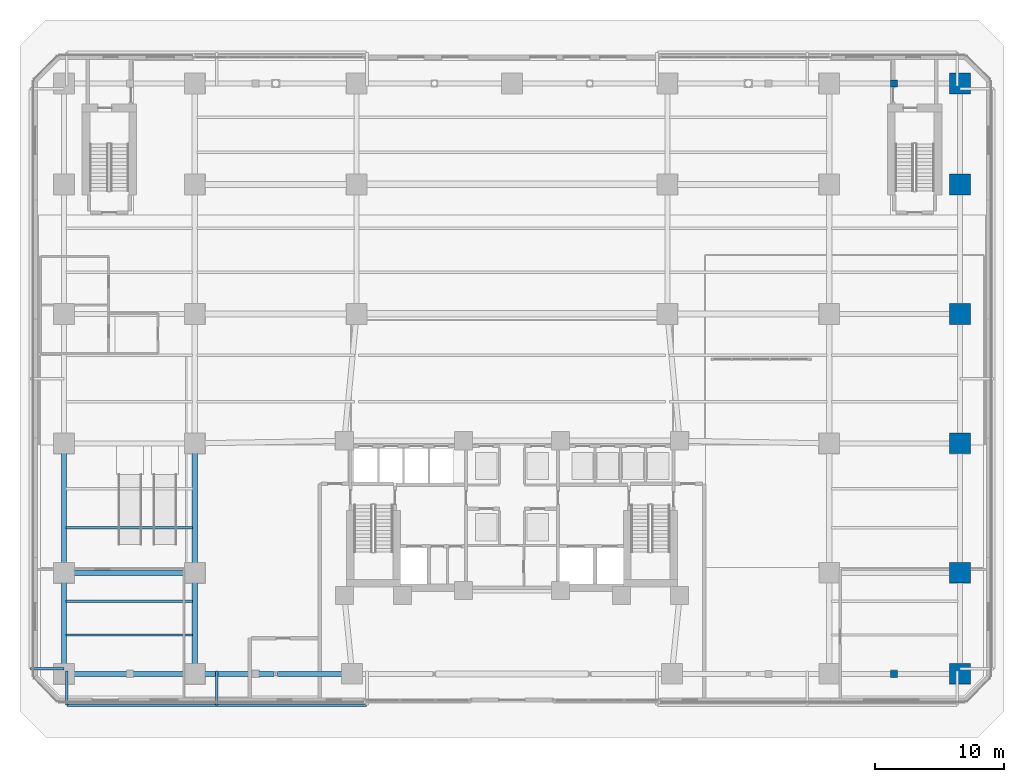
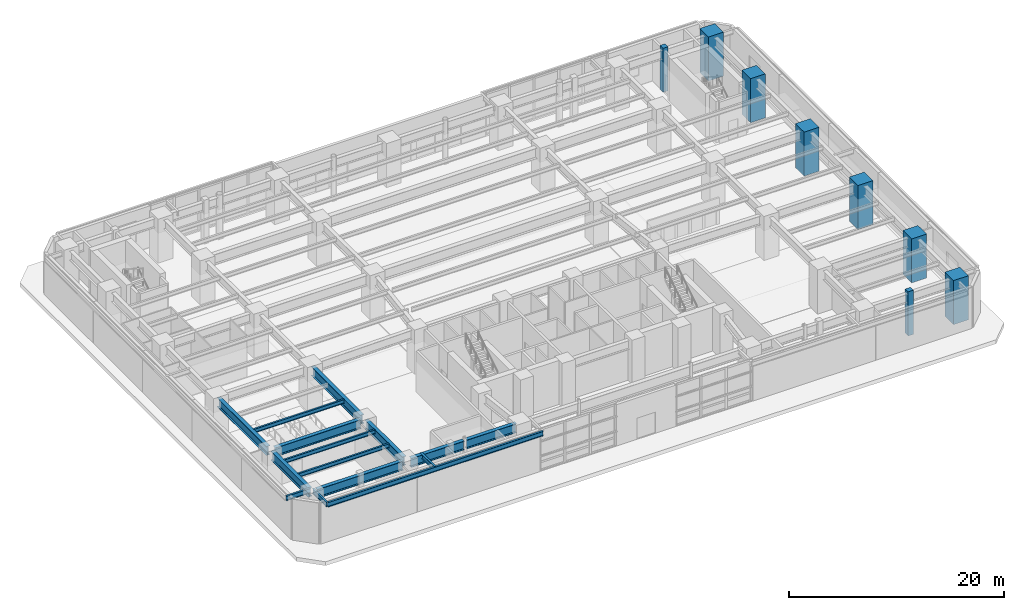
# One storey, part 5 of 26: 15 beams, 8 columns.
"""IFC4 building model written with IfcOpenShell, lengths in metres."""

from ifc_helpers import new_model, si_unit, direction, frame, origin, origin_2d, place, context, subcontext, project, spatial, rectangle, i_section, extrude, material, material_profile, profile_set, type_object, element, save


model = new_model("IFC4")

# Units and contexts
model_context = context("Model", 3, precision=1e-05, world=origin(), true_north=direction((0.0, 1.0)))
body_context = subcontext(model_context, "Body", "Model", "MODEL_VIEW")
ifc_project = project(units=[si_unit("LENGTHUNIT", "METRE"), si_unit("AREAUNIT", "SQUARE_METRE"), si_unit("VOLUMEUNIT", "CUBIC_METRE"), si_unit("PLANEANGLEUNIT", "RADIAN"), si_unit("MASSUNIT", "GRAM", prefix="KILO")], contexts=[model_context])

# Site, building, storey
site_placement = place(None, origin())
site = spatial("IfcSite", under=ifc_project, at=site_placement, CompositionType="ELEMENT")
building_placement = place(site_placement, origin())
building = spatial("IfcBuilding", under=site, at=building_placement, Name="Quenlor Broadcast Tower", CompositionType="ELEMENT")
storey_placement = place(building_placement, origin())
storey = spatial("IfcBuildingStorey", under=building, at=storey_placement, Name="L00", CompositionType="ELEMENT", Elevation=0.0)

# Columns
ifc_material_1 = material(Name="Concrete C65/80", Category="concrete")
ifc_material_profile_1 = material_profile(ifc_material_1, rectangle(XDim=1.60009765625, YDim=1.60009765625, at=origin_2d()))
ifc_profile_set_1 = profile_set([ifc_material_profile_1], Name="Concrete C65/80 RC1600x1600")
column_type_1 = type_object("IfcColumnType", Name="Podium Mega Column Concrete C65/80 1600", PredefinedType="COLUMN", material=ifc_profile_set_1)
for number, where, z_axis, x_axis, name in (
    (1, (34.60009765625, -22.800048828125, 0.0), (0.0, 0.0, 1.0), (1.0, 0.0, 0.0), "L00 Podium Mega Column PM6"),
    (2, (34.60009765625, -15.0, 0.0), (0.0, 0.0, 1.0), (1.0, 0.0, 0.0), "L00 Podium Mega Column PM10"),
    (3, (34.60009765625, -5.0, 0.0), (0.0, 0.0, 1.0), (1.0, 0.0, 0.0), "L00 Podium Mega Column PM14"),
    (4, (34.60009765625, 5.0, 0.0), (0.0, 0.0, 1.0), (1.0, 0.0, 0.0), "L00 Podium Mega Column PM20"),
    (5, (34.60009765625, 15.0, 0.0), (0.0, 0.0, 1.0), (1.0, 0.0, 0.0), "L00 Podium Mega Column PM26"),
    (6, (34.60009765625, 22.800048828125, 0.0), (0.0, 0.0, 1.0), (1.0, 0.0, 0.0), "L00 Podium Mega Column PM33"),
):
    element("IfcColumn", number, at=place(storey_placement, frame(where, z_axis=z_axis, x_axis=x_axis)), inside=storey, type_object=column_type_1, Name=name, PredefinedType="COLUMN", context=body_context, shape_type="SweptSolid", body=[
        extrude(rectangle(XDim=1.60009765625, YDim=1.60009765625, at=origin_2d()), origin(), (0.0, 0.0, 1.0), 5.0),
    ])
ifc_material_2 = material(Name="Concrete C50/60", Category="concrete")
ifc_material_profile_2 = material_profile(ifc_material_2, rectangle(XDim=0.550048828125, YDim=0.550048828125, at=origin_2d()))
ifc_profile_set_2 = profile_set([ifc_material_profile_2], Name="Concrete C50/60 PIL550x550")
column_type_2 = type_object("IfcColumnType", Name="Station Colonnade Pilaster Concrete C50/60 550", PredefinedType="PILASTER", material=ifc_profile_set_2)
for number, where, z_axis, x_axis, name in (
    (7, (29.5, -22.800048828125, 0.0), (0.0, 0.0, 1.0), (1.0, 0.0, 0.0), "L00 Colonnade Pilaster S4"),
    (8, (29.5, 22.800048828125, 0.0), (0.0, 0.0, 1.0), (1.0, 0.0, 0.0), "L00 Colonnade Pilaster N4"),
):
    element("IfcColumn", number, at=place(storey_placement, frame(where, z_axis=z_axis, x_axis=x_axis)), inside=storey, type_object=column_type_2, Name=name, PredefinedType="PILASTER", context=body_context, shape_type="SweptSolid", body=[
        extrude(rectangle(XDim=0.550048828125, YDim=0.550048828125, at=origin_2d()), origin(), (0.0, 0.0, 1.0), 5.0),
    ])

# Beams
ifc_material_3 = material(Name="Steel S355", Category="steel")
ifc_material_profile_3 = material_profile(ifc_material_3, i_section(OverallWidth=0.208984375, OverallDepth=0.532958984375, WebThickness=0.01025390625, FlangeThickness=0.015625, FilletRadius=0.013916015625, at=origin_2d()))
ifc_profile_set_3 = profile_set([ifc_material_profile_3], Name="Steel S355 530UB92.4")
beam_type_1 = type_object("IfcBeamType", Name="Perimeter Spandrel Beam Z1 Steel S355 530UB92.4", PredefinedType="SPANDREL", material=ifc_profile_set_3)
for number, where, z_axis, x_axis, name in (
    (9, (-34.39990234375, -22.5849609375, 4.43359375), (0.0, -1.0, 0.0), (1.0, 0.0, 0.0), "L00 Podium Lattice Sill Tie SW2"),
    (10, (-22.800048828125, -22.5849609375, 4.43359375), (0.0, -1.0, 0.0), (1.0, 0.0, 0.0), "L00 Podium Lattice Sill Tie SW3"),
):
    element("IfcBeam", number, at=place(storey_placement, frame(where, z_axis=z_axis, x_axis=x_axis)), inside=storey, type_object=beam_type_1, Name=name, PredefinedType="SPANDREL", context=body_context, shape_type="SweptSolid", body=[
        extrude(i_section(OverallWidth=0.208984375, OverallDepth=0.532958984375, WebThickness=0.01025390625, FlangeThickness=0.015625, FilletRadius=0.013916015625, at=origin_2d()), origin(), (0.0, 0.0, 1.0), 2.610107421875),
    ])
beam_1_placement = place(storey_placement, frame((-11.219970703125, -25.215087890625, 4.43359375), z_axis=(-1.0, 0.0, 0.0), x_axis=(0.0, -1.0, 0.0)))
element("IfcBeam", 11, at=beam_1_placement, inside=storey, type_object=beam_type_1, Name="L00 Podium Lattice Sill Girder SW", PredefinedType="SPANDREL", context=body_context, shape_type="SweptSolid", body=[
    extrude(i_section(OverallWidth=0.208984375, OverallDepth=0.532958984375, WebThickness=0.01025390625, FlangeThickness=0.015625, FilletRadius=0.013916015625, at=origin_2d()), origin(), (0.0, 0.0, 1.0), 23.159912109375),
])
beam_2_placement = place(storey_placement, frame((-34.5849609375, -22.39990234375, 4.43359375), z_axis=(-1.0, 0.0, 0.0), x_axis=(0.0, -1.0, 0.0)))
element("IfcBeam", 12, at=beam_2_placement, inside=storey, type_object=beam_type_1, Name="L00 Podium Lattice Sill Tie W1", PredefinedType="SPANDREL", context=body_context, shape_type="SweptSolid", body=[
    extrude(i_section(OverallWidth=0.208984375, OverallDepth=0.532958984375, WebThickness=0.01025390625, FlangeThickness=0.015625, FilletRadius=0.013916015625, at=origin_2d()), origin(), (0.0, 0.0, 1.0), 2.610107421875),
])
ifc_material_4 = material(Name="Steel S355", Category="steel")
ifc_material_profile_4 = material_profile(ifc_material_4, i_section(OverallWidth=0.39990234375, OverallDepth=1.02392578125, WebThickness=0.01611328125, FlangeThickness=0.031982421875, FilletRadius=0.01611328125, at=origin_2d()))
ifc_profile_set_4 = profile_set([ifc_material_profile_4], Name="Steel S355 1000WB322")
beam_type_2 = type_object("IfcBeamType", Name="Podium Concourse Girder Steel S355 1000WB322", PredefinedType="BEAM", material=ifc_profile_set_4)
beam_3_placement = place(storey_placement, frame((-34.179931640625, -22.800048828125, 4.18798828125), z_axis=(1.0, 0.0, 0.0), x_axis=(0.0, 1.0, 0.0)))
element("IfcBeam", 13, at=beam_3_placement, inside=storey, type_object=beam_type_2, Name="L00 Podium Girder 1", PredefinedType="BEAM", context=body_context, shape_type="SweptSolid", body=[
    extrude(i_section(OverallWidth=0.39990234375, OverallDepth=1.02392578125, WebThickness=0.01611328125, FlangeThickness=0.031982421875, FilletRadius=0.01611328125, at=origin_2d()), origin(), (0.0, 0.0, 1.0), 9.260009765625),
])
beam_4_placement = place(storey_placement, frame((-24.080078125, -22.800048828125, 4.18798828125), z_axis=(1.0, 0.0, 0.0), x_axis=(0.0, 1.0, 0.0)))
element("IfcBeam", 14, at=beam_4_placement, inside=storey, type_object=beam_type_2, Name="L00 Podium Girder 2", PredefinedType="BEAM", context=body_context, shape_type="SweptSolid", body=[
    extrude(i_section(OverallWidth=0.39990234375, OverallDepth=1.02392578125, WebThickness=0.01611328125, FlangeThickness=0.031982421875, FilletRadius=0.01611328125, at=origin_2d()), origin(), (0.0, 0.0, 1.0), 5.694580078125),
])
beam_5_placement = place(storey_placement, frame((-18.114501953125, -22.800048828125, 4.18798828125), z_axis=(1.0, 0.0, 0.0), x_axis=(0.0, 1.0, 0.0)))
element("IfcBeam", 15, at=beam_5_placement, inside=storey, type_object=beam_type_2, Name="L00 Podium Girder 3", PredefinedType="BEAM", context=body_context, shape_type="SweptSolid", body=[
    extrude(i_section(OverallWidth=0.39990234375, OverallDepth=1.02392578125, WebThickness=0.01611328125, FlangeThickness=0.031982421875, FilletRadius=0.01611328125, at=origin_2d()), origin(), (0.0, 0.0, 1.0), 5.344482421875),
])
beam_6_placement = place(storey_placement, frame((-34.179931640625, -15.0, 4.18798828125), z_axis=(1.0, 0.0, 0.0), x_axis=(0.0, 1.0, 0.0)))
element("IfcBeam", 16, at=beam_6_placement, inside=storey, type_object=beam_type_2, Name="L00 Podium Girder 10", PredefinedType="BEAM", context=body_context, shape_type="SweptSolid", body=[
    extrude(i_section(OverallWidth=0.39990234375, OverallDepth=1.02392578125, WebThickness=0.01611328125, FlangeThickness=0.031982421875, FilletRadius=0.01611328125, at=origin_2d()), origin(), (0.0, 0.0, 1.0), 9.260009765625),
])
beam_7_placement = place(storey_placement, frame((-34.60009765625, -22.3798828125, 4.18798828125), z_axis=(0.0, 1.0, 0.0), x_axis=(-1.0, 0.0, 0.0)))
element("IfcBeam", 17, at=beam_7_placement, inside=storey, type_object=beam_type_2, Name="L00 Podium Girder 34", PredefinedType="BEAM", context=body_context, shape_type="SweptSolid", body=[
    extrude(i_section(OverallWidth=0.39990234375, OverallDepth=1.02392578125, WebThickness=0.01611328125, FlangeThickness=0.031982421875, FilletRadius=0.01611328125, at=origin_2d()), origin(), (0.0, 0.0, 1.0), 6.9599609375),
])
beam_8_placement = place(storey_placement, frame((-34.60009765625, -14.580078125, 4.18798828125), z_axis=(0.0, 1.0, 0.0), x_axis=(-1.0, 0.0, 0.0)))
element("IfcBeam", 18, at=beam_8_placement, inside=storey, type_object=beam_type_2, Name="L00 Podium Girder 35", PredefinedType="BEAM", context=body_context, shape_type="SweptSolid", body=[
    extrude(i_section(OverallWidth=0.39990234375, OverallDepth=1.02392578125, WebThickness=0.01611328125, FlangeThickness=0.031982421875, FilletRadius=0.01611328125, at=origin_2d()), origin(), (0.0, 0.0, 1.0), 9.16015625),
])
beam_9_placement = place(storey_placement, frame((-24.5, -22.3798828125, 4.18798828125), z_axis=(0.0, 1.0, 0.0), x_axis=(-1.0, 0.0, 0.0)))
element("IfcBeam", 19, at=beam_9_placement, inside=storey, type_object=beam_type_2, Name="L00 Podium Girder 39", PredefinedType="BEAM", context=body_context, shape_type="SweptSolid", body=[
    extrude(i_section(OverallWidth=0.39990234375, OverallDepth=1.02392578125, WebThickness=0.01611328125, FlangeThickness=0.031982421875, FilletRadius=0.01611328125, at=origin_2d()), origin(), (0.0, 0.0, 1.0), 6.9599609375),
])
beam_10_placement = place(storey_placement, frame((-24.5, -14.580078125, 4.18798828125), z_axis=(0.0, 1.0, 0.0), x_axis=(-1.0, 0.0, 0.0)))
element("IfcBeam", 20, at=beam_10_placement, inside=storey, type_object=beam_type_2, Name="L00 Podium Girder 40", PredefinedType="BEAM", context=body_context, shape_type="SweptSolid", body=[
    extrude(i_section(OverallWidth=0.39990234375, OverallDepth=1.02392578125, WebThickness=0.01611328125, FlangeThickness=0.031982421875, FilletRadius=0.01611328125, at=origin_2d()), origin(), (0.0, 0.0, 1.0), 9.16015625),
])
ifc_material_5 = material(Name="Steel S355", Category="steel")
ifc_material_profile_5 = material_profile(ifc_material_5, i_section(OverallWidth=0.18994140625, OverallDepth=0.453857421875, WebThickness=0.008544921875, FlangeThickness=0.0126953125, FilletRadius=0.011474609375, at=origin_2d()))
ifc_profile_set_5 = profile_set([ifc_material_profile_5], Name="Steel S355 460UB67.1")
beam_type_3 = type_object("IfcBeamType", Name="Podium Floor Joist Steel S355 460UB67.1", PredefinedType="JOIST", material=ifc_profile_set_5)
for number, where, z_axis, x_axis, name in (
    (21, (-34.43994140625, -19.800048828125, 4.47314453125), (1.0, 0.0, 0.0), (0.0, 1.0, 0.0), "L00 Podium Floor Joist 21"),
    (22, (-34.43994140625, -17.199951171875, 4.47314453125), (1.0, 0.0, 0.0), (0.0, 1.0, 0.0), "L00 Podium Floor Joist 23"),
    (23, (-34.43994140625, -11.5, 4.47314453125), (1.0, 0.0, 0.0), (0.0, 1.0, 0.0), "L00 Podium Floor Joist 25"),
):
    element("IfcBeam", number, at=place(storey_placement, frame(where, z_axis=z_axis, x_axis=x_axis)), inside=storey, type_object=beam_type_3, Name=name, PredefinedType="JOIST", context=body_context, shape_type="SweptSolid", body=[
        extrude(i_section(OverallWidth=0.18994140625, OverallDepth=0.453857421875, WebThickness=0.008544921875, FlangeThickness=0.0126953125, FilletRadius=0.011474609375, at=origin_2d()), origin(), (0.0, 0.0, 1.0), 9.780029296875),
    ])

save(model, "model.ifc")
